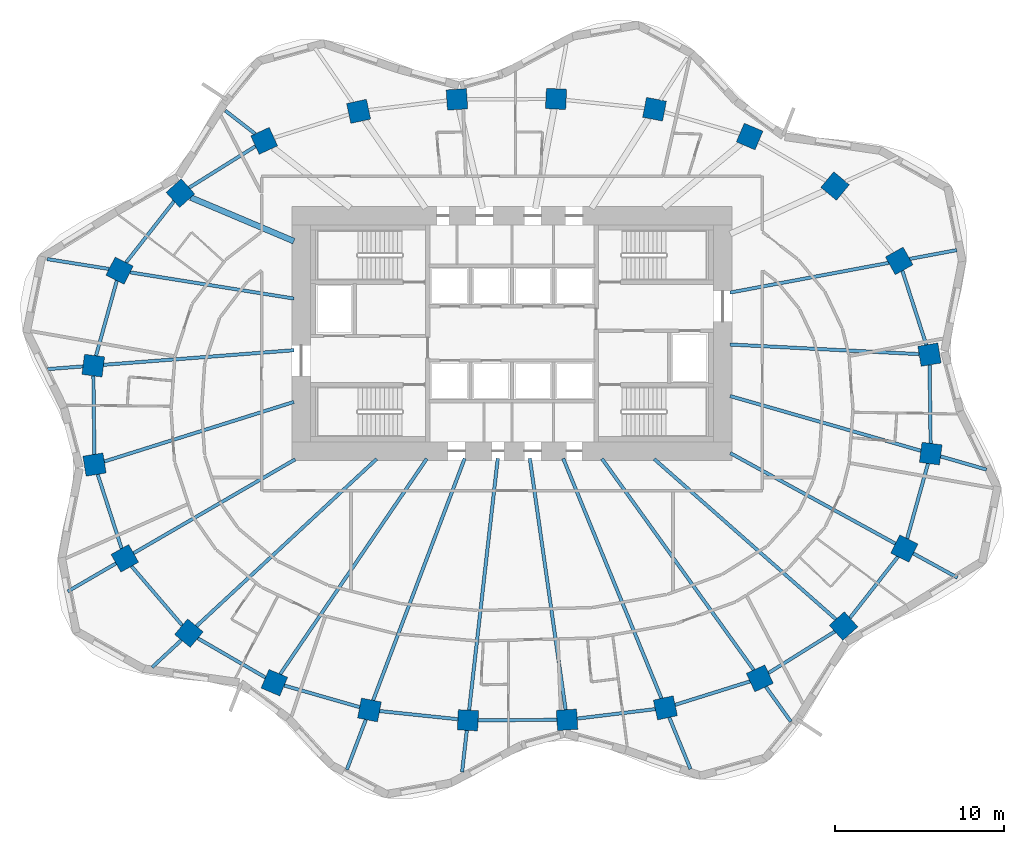
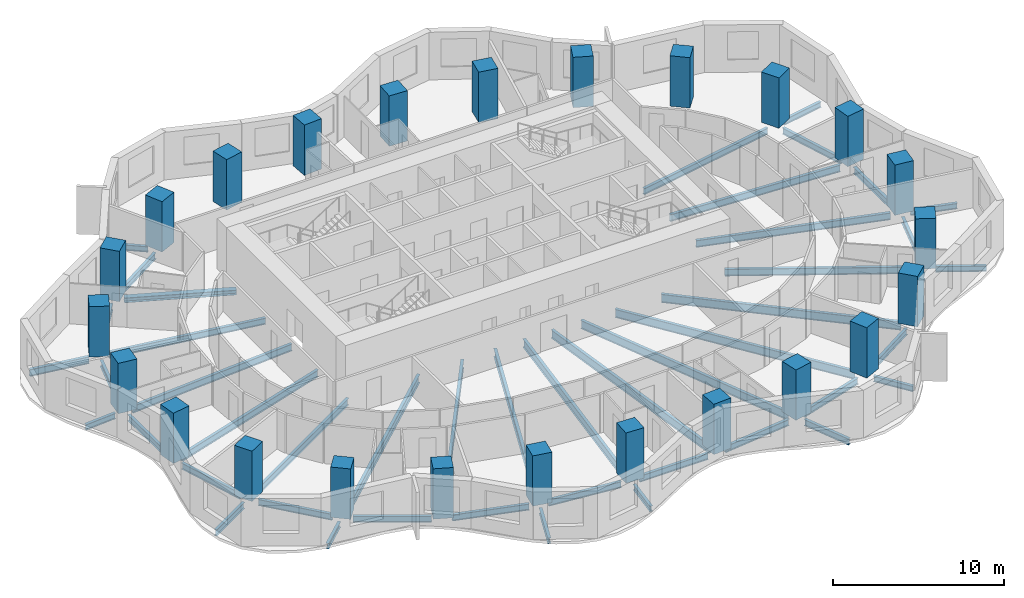
# One storey, part 1 of 10: 46 beams, 24 columns.
"""IFC4 building model written with IfcOpenShell, lengths in metres."""

from ifc_helpers import new_model, si_unit, direction, frame, origin, origin_2d, place, context, subcontext, project, spatial, rectangle, i_section, extrude, material, material_profile, profile_set, type_object, element, save


model = new_model("IFC4")

# Units and contexts
model_context = context("Model", 3, precision=1e-05, world=origin(), true_north=direction((0.0, 1.0)))
body_context = subcontext(model_context, "Body", "Model", "MODEL_VIEW")
ifc_project = project(units=[si_unit("LENGTHUNIT", "METRE"), si_unit("AREAUNIT", "SQUARE_METRE"), si_unit("VOLUMEUNIT", "CUBIC_METRE"), si_unit("PLANEANGLEUNIT", "RADIAN"), si_unit("MASSUNIT", "GRAM", prefix="KILO")], contexts=[model_context])

# Site, building, storey
site_placement = place(None, origin())
site = spatial("IfcSite", under=ifc_project, at=site_placement, CompositionType="ELEMENT")
building_placement = place(site_placement, origin())
building = spatial("IfcBuilding", under=site, at=building_placement, Name="Rubra Terraces Tower", CompositionType="ELEMENT")
storey_placement = place(building_placement, frame((0.0, 0.0, 92.39990234375)))
storey = spatial("IfcBuildingStorey", under=building, at=storey_placement, Name="L21", CompositionType="ELEMENT", Elevation=92.39990234375)

# Columns
ifc_material_1 = material(Name="Concrete C60", Category="concrete")
ifc_material_profile_1 = material_profile(ifc_material_1, rectangle(XDim=1.199951171875, YDim=1.199951171875, at=origin_2d()), Name="RC 1200x1200")
ifc_profile_set_1 = profile_set([ifc_material_profile_1], Name="Concrete C60")
column_type = type_object("IfcColumnType", Name="RING COLUMN RC 1200x1200 C60", PredefinedType="COLUMN", material=ifc_profile_set_1)
for number, where, z_axis, x_axis, name in (
    (1, (24.6689453125, 3.248046875, 0.0), (0.0, 0.0, 1.0), (-0.161559167715, 0.986863027642, 0.0), "column-L21-ring-01"),
    (2, (22.87890625, 8.787109375, 0.0), (0.0, 0.0, 1.0), (-0.48852601316, 0.872549330678, 0.0), "column-L21-ring-02"),
    (3, (19.092041015625, 13.208984375, 0.0), (0.0, 0.0, 1.0), (-0.76886986222, 0.63940529789, 0.0), "column-L21-ring-03"),
    (4, (14.0419921875, 16.135986328125, 0.0), (0.0, 0.0, 1.0), (-0.920167856842, 0.391524092789, 0.0), "column-L21-ring-04"),
    (5, (8.422119140625, 17.7490234375, 0.0), (0.0, 0.0, 1.0), (-0.981654668733, 0.19066754143, 0.0), "column-L21-ring-05"),
    (6, (2.60205078125, 18.35791015625, 0.0), (0.0, 0.0, 1.0), (-0.998764256028, 0.049698700995, 0.0), "column-L21-ring-06"),
    (7, (-3.25390625, 18.330078125, 0.0), (0.0, 0.0, 1.0), (-0.998031548759, -0.062713855578, 0.0), "column-L21-ring-07"),
    (8, (-9.06298828125, 17.625, 0.0), (0.0, 0.0, 1.0), (-0.977652674797, -0.210226657352, 0.0), "column-L21-ring-08"),
    (9, (-14.64306640625, 15.881103515625, 0.0), (0.0, 0.0, 1.0), (-0.908778580451, -0.417278673927, 0.0), "column-L21-ring-09"),
    (10, (-19.593017578125, 12.7900390625, 0.0), (0.0, 0.0, 1.0), (-0.744021317198, -0.668155879683, 0.0), "column-L21-ring-10"),
    (11, (-23.18505859375, 8.2099609375, 0.0), (0.0, 0.0, 1.0), (-0.451027931402, -0.892509834733, 0.0), "column-L21-ring-11"),
    (12, (-24.742919921875, 2.59912109375, 0.0), (0.0, 0.0, 1.0), (-0.128443684554, -0.991716804283, 0.0), "column-L21-ring-12"),
    (13, (-24.6689453125, -3.248046875, 0.0), (0.0, 0.0, 1.0), (0.161559167715, -0.986863027642, 0.0), "column-L21-ring-13"),
    (14, (-22.87890625, -8.787109375, 0.0), (0.0, 0.0, 1.0), (0.48852601316, -0.872549330678, 0.0), "column-L21-ring-14"),
    (15, (-19.092041015625, -13.208984375, 0.0), (0.0, 0.0, 1.0), (0.76886986222, -0.63940529789, 0.0), "column-L21-ring-15"),
    (16, (-14.0419921875, -16.135986328125, 0.0), (0.0, 0.0, 1.0), (0.920167856842, -0.391524092789, 0.0), "column-L21-ring-16"),
    (17, (-8.422119140625, -17.7490234375, 0.0), (0.0, 0.0, 1.0), (0.981654668733, -0.19066754143, 0.0), "column-L21-ring-17"),
    (18, (-2.60205078125, -18.35791015625, 0.0), (0.0, 0.0, 1.0), (0.998764256028, -0.049698700995, 0.0), "column-L21-ring-18"),
    (19, (3.25390625, -18.330078125, 0.0), (0.0, 0.0, 1.0), (0.998031548759, 0.062713855578, 0.0), "column-L21-ring-19"),
    (20, (9.06298828125, -17.625, 0.0), (0.0, 0.0, 1.0), (0.977652674797, 0.210226657352, 0.0), "column-L21-ring-20"),
    (21, (14.64306640625, -15.881103515625, 0.0), (0.0, 0.0, 1.0), (0.908778580451, 0.417278673927, 0.0), "column-L21-ring-21"),
    (22, (19.593017578125, -12.7900390625, 0.0), (0.0, 0.0, 1.0), (0.744021317198, 0.668155879683, 0.0), "column-L21-ring-22"),
    (23, (23.18505859375, -8.2099609375, 0.0), (0.0, 0.0, 1.0), (0.451027931402, 0.892509834733, 0.0), "column-L21-ring-23"),
    (24, (24.742919921875, -2.59912109375, 0.0), (0.0, 0.0, 1.0), (0.128443684554, 0.991716804283, 0.0), "column-L21-ring-24"),
):
    element("IfcColumn", number, at=place(storey_placement, frame(where, z_axis=z_axis, x_axis=x_axis)), inside=storey, type_object=column_type, Name=name, PredefinedType="COLUMN", context=body_context, shape_type="SweptSolid", body=[
        extrude(rectangle(XDim=1.199951171875, YDim=1.199951171875, at=origin_2d()), origin(), (0.0, 0.0, 1.0), 3.60009765625),
    ])

# Beams
ifc_material_2 = material(Name="Steel Q355B", Category="steel")
ifc_material_profile_2 = material_profile(ifc_material_2, i_section(OverallWidth=0.199951171875, OverallDepth=0.39990234375, WebThickness=0.008056640625, FlangeThickness=0.012939453125, at=origin_2d()), Name="HN 400x200x8x13")
ifc_profile_set_2 = profile_set([ifc_material_profile_2], Name="Steel Q355B")
beam_type_1 = type_object("IfcBeamType", Name="CANTILEVER BEAM HN 400x200x8x13", PredefinedType="BEAM", material=ifc_profile_set_2)
beam_1_placement = place(storey_placement, frame((23.5009765625, 8.904052734375, -0.39990234375), z_axis=(0.982900503659, 0.184137448407, 0.0), x_axis=(-0.184137448407, 0.982900503659, 0.0)))
element("IfcBeam", 25, at=beam_1_placement, inside=storey, type_object=beam_type_1, Name="beam-L21-cant-02", PredefinedType="BEAM", context=body_context, shape_type="SweptSolid", body=[
    extrude(i_section(OverallWidth=0.199951171875, OverallDepth=0.39990234375, WebThickness=0.008056640625, FlangeThickness=0.012939453125, at=origin_2d()), origin(), (0.0, 0.0, 1.0), 2.829345703125),
])
beam_2_placement = place(storey_placement, frame((-15.177001953125, 16.2958984375, -0.39990234375), z_axis=(-0.789558697971, 0.613675046306, 0.0), x_axis=(-0.613675046306, -0.789558697971, 0.0)))
element("IfcBeam", 26, at=beam_2_placement, inside=storey, type_object=beam_type_1, Name="beam-L21-cant-09", PredefinedType="BEAM", context=body_context, shape_type="SweptSolid", body=[
    extrude(i_section(OverallWidth=0.199951171875, OverallDepth=0.39990234375, WebThickness=0.008056640625, FlangeThickness=0.012939453125, at=origin_2d()), origin(), (0.0, 0.0, 1.0), 2.227783203125),
])
beam_3_placement = place(storey_placement, frame((-25.35400390625, 2.552001953125, -0.39990234375), z_axis=(-0.997081005005, -0.076350962387, 0.0), x_axis=(0.076350962387, -0.997081005005, 0.0)))
element("IfcBeam", 27, at=beam_3_placement, inside=storey, type_object=beam_type_1, Name="beam-L21-cant-12", PredefinedType="BEAM", context=body_context, shape_type="SweptSolid", body=[
    extrude(i_section(OverallWidth=0.199951171875, OverallDepth=0.39990234375, WebThickness=0.008056640625, FlangeThickness=0.012939453125, at=origin_2d()), origin(), (0.0, 0.0, 1.0), 2.107177734375),
])
beam_4_placement = place(storey_placement, frame((-19.535888671875, -13.6201171875, -0.39990234375), z_axis=(-0.733024491169, -0.680202245914, 0.0), x_axis=(0.680202245914, -0.733024491169, 0.0)))
element("IfcBeam", 28, at=beam_4_placement, inside=storey, type_object=beam_type_1, Name="beam-L21-cant-15", PredefinedType="BEAM", context=body_context, shape_type="SweptSolid", body=[
    extrude(i_section(OverallWidth=0.199951171875, OverallDepth=0.39990234375, WebThickness=0.008056640625, FlangeThickness=0.012939453125, at=origin_2d()), origin(), (0.0, 0.0, 1.0), 2.37109375),
])
beam_5_placement = place(storey_placement, frame((-8.637939453125, -18.318115234375, -0.39990234375), z_axis=(-0.353924982786, -0.935273813682, 0.0), x_axis=(0.935273813682, -0.353924982786, 0.0)))
element("IfcBeam", 29, at=beam_5_placement, inside=storey, type_object=beam_type_1, Name="beam-L21-cant-17", PredefinedType="BEAM", context=body_context, shape_type="SweptSolid", body=[
    extrude(i_section(OverallWidth=0.199951171875, OverallDepth=0.39990234375, WebThickness=0.008056640625, FlangeThickness=0.012939453125, at=origin_2d()), origin(), (0.0, 0.0, 1.0), 3.159423828125),
])
beam_6_placement = place(storey_placement, frame((-2.669921875, -18.955078125, -0.39990234375), z_axis=(-0.112971566193, -0.99359822123, 0.0), x_axis=(0.99359822123, -0.112971566193, 0.0)))
element("IfcBeam", 30, at=beam_6_placement, inside=storey, type_object=beam_type_1, Name="beam-L21-cant-18", PredefinedType="BEAM", context=body_context, shape_type="SweptSolid", body=[
    extrude(i_section(OverallWidth=0.199951171875, OverallDepth=0.39990234375, WebThickness=0.008056640625, FlangeThickness=0.012939453125, at=origin_2d()), origin(), (0.0, 0.0, 1.0), 2.478759765625),
])
beam_7_placement = place(storey_placement, frame((15.0, -16.376953125, -0.39990234375), z_axis=(0.583425401371, -0.812166732288, 0.0), x_axis=(0.812166732288, 0.583425401371, 0.0)))
element("IfcBeam", 31, at=beam_7_placement, inside=storey, type_object=beam_type_1, Name="beam-L21-cant-21", PredefinedType="BEAM", context=body_context, shape_type="SweptSolid", body=[
    extrude(i_section(OverallWidth=0.199951171875, OverallDepth=0.39990234375, WebThickness=0.008056640625, FlangeThickness=0.012939453125, at=origin_2d()), origin(), (0.0, 0.0, 1.0), 2.53173828125),
])
beam_8_placement = place(storey_placement, frame((23.7109375, -8.4990234375, -0.39990234375), z_axis=(0.876950651009, -0.480580436238, 0.0), x_axis=(0.480580436238, 0.876950651009, 0.0)))
element("IfcBeam", 32, at=beam_8_placement, inside=storey, type_object=beam_type_1, Name="beam-L21-cant-23", PredefinedType="BEAM", context=body_context, shape_type="SweptSolid", body=[
    extrude(i_section(OverallWidth=0.199951171875, OverallDepth=0.39990234375, WebThickness=0.008056640625, FlangeThickness=0.012939453125, at=origin_2d()), origin(), (0.0, 0.0, 1.0), 2.9775390625),
])
beam_9_placement = place(storey_placement, frame((25.325927734375, -2.76611328125, -0.39990234375), z_axis=(0.961210097917, -0.275817235977, 0.0), x_axis=(0.275817235977, 0.961210097917, 0.0)))
element("IfcBeam", 33, at=beam_9_placement, inside=storey, type_object=beam_type_1, Name="beam-L21-cant-24", PredefinedType="BEAM", context=body_context, shape_type="SweptSolid", body=[
    extrude(i_section(OverallWidth=0.199951171875, OverallDepth=0.39990234375, WebThickness=0.008056640625, FlangeThickness=0.012939453125, at=origin_2d()), origin(), (0.0, 0.0, 1.0), 2.82373046875),
])
ifc_material_profile_3 = material_profile(ifc_material_2, i_section(OverallWidth=0.198974609375, OverallDepth=0.446044921875, WebThickness=0.008056640625, FlangeThickness=0.011962890625, at=origin_2d()), Name="HN 446x199x8x12")
ifc_profile_set_3 = profile_set([ifc_material_profile_3], Name="Steel Q355B")
beam_type_2 = type_object("IfcBeamType", Name="CANTILEVER BEAM HN 446x199x8x12", PredefinedType="BEAM", material=ifc_profile_set_3)
beam_10_placement = place(storey_placement, frame((-23.39794921875, -9.087890625, -0.4228515625), z_axis=(-0.86464262301, -0.50238743463, 0.0), x_axis=(0.50238743463, -0.86464262301, 0.0)))
element("IfcBeam", 34, at=beam_10_placement, inside=storey, type_object=beam_type_2, Name="beam-L21-cant-14", PredefinedType="BEAM", context=body_context, shape_type="SweptSolid", body=[
    extrude(i_section(OverallWidth=0.198974609375, OverallDepth=0.446044921875, WebThickness=0.008056640625, FlangeThickness=0.011962890625, at=origin_2d()), origin(), (0.0, 0.0, 1.0), 3.29638671875),
])
beam_11_placement = place(storey_placement, frame((9.2939453125, -18.18896484375, -0.4228515625), z_axis=(0.379126606242, -0.925344809484, 0.0), x_axis=(0.925344809484, 0.379126606242, 0.0)))
element("IfcBeam", 35, at=beam_11_placement, inside=storey, type_object=beam_type_2, Name="beam-L21-cant-20", PredefinedType="BEAM", context=body_context, shape_type="SweptSolid", body=[
    extrude(i_section(OverallWidth=0.198974609375, OverallDepth=0.446044921875, WebThickness=0.008056640625, FlangeThickness=0.011962890625, at=origin_2d()), origin(), (0.0, 0.0, 1.0), 3.2919921875),
])
ifc_material_profile_4 = material_profile(ifc_material_2, i_section(OverallWidth=0.198974609375, OverallDepth=0.49609375, WebThickness=0.009033203125, FlangeThickness=0.013916015625, at=origin_2d()), Name="HN 496x199x9x14")
ifc_profile_set_4 = profile_set([ifc_material_profile_4], Name="Steel Q355B")
beam_type_3 = type_object("IfcBeamType", Name="CANTILEVER BEAM HN 496x199x9x14", PredefinedType="BEAM", material=ifc_profile_set_4)
beam_12_placement = place(storey_placement, frame((-23.806884765625, 8.31005859375, -0.447998046875), z_axis=(-0.987475125266, 0.157774766614, 0.0), x_axis=(-0.157774766614, -0.987475125266, 0.0)))
element("IfcBeam", 36, at=beam_12_placement, inside=storey, type_object=beam_type_3, Name="beam-L21-cant-11", PredefinedType="BEAM", context=body_context, shape_type="SweptSolid", body=[
    extrude(i_section(OverallWidth=0.198974609375, OverallDepth=0.49609375, WebThickness=0.009033203125, FlangeThickness=0.013916015625, at=origin_2d()), origin(), (0.0, 0.0, 1.0), 3.70751953125),
])
ifc_material_profile_5 = material_profile(ifc_material_2, i_section(OverallWidth=0.198974609375, OverallDepth=0.446044921875, WebThickness=0.008056640625, FlangeThickness=0.011962890625, at=origin_2d()), Name="HN 446x199x8x12")
ifc_profile_set_5 = profile_set([ifc_material_profile_5], Name="Steel Q355B")
beam_type_4 = type_object("IfcBeamType", Name="FLOOR BEAM HN 446x199x8x12", PredefinedType="BEAM", material=ifc_profile_set_5)
beam_13_placement = place(storey_placement, frame((22.257080078125, 8.669921875, -0.4228515625), z_axis=(-0.982909257943, -0.184090713102, 0.0), x_axis=(0.184090713102, -0.982909257943, 0.0)))
element("IfcBeam", 37, at=beam_13_placement, inside=storey, type_object=beam_type_4, Name="beam-L21-floor-02", PredefinedType="BEAM", context=body_context, shape_type="SweptSolid", body=[
    extrude(i_section(OverallWidth=0.198974609375, OverallDepth=0.446044921875, WebThickness=0.008056640625, FlangeThickness=0.011962890625, at=origin_2d()), origin(), (0.0, 0.0, 1.0), 9.5380859375),
])
beam_14_placement = place(storey_placement, frame((-22.56298828125, 8.110107421875, -0.4228515625), z_axis=(0.987438611706, -0.158003126908, 0.0), x_axis=(0.158003126908, 0.987438611706, 0.0)))
element("IfcBeam", 38, at=beam_14_placement, inside=storey, type_object=beam_type_4, Name="beam-L21-floor-11", PredefinedType="BEAM", context=body_context, shape_type="SweptSolid", body=[
    extrude(i_section(OverallWidth=0.198974609375, OverallDepth=0.446044921875, WebThickness=0.008056640625, FlangeThickness=0.011962890625, at=origin_2d()), origin(), (0.0, 0.0, 1.0), 9.803955078125),
])
ifc_material_profile_6 = material_profile(ifc_material_2, i_section(OverallWidth=0.198974609375, OverallDepth=0.49609375, WebThickness=0.009033203125, FlangeThickness=0.013916015625, at=origin_2d()), Name="HN 496x199x9x14")
ifc_profile_set_6 = profile_set([ifc_material_profile_6], Name="Steel Q355B")
beam_type_5 = type_object("IfcBeamType", Name="FLOOR BEAM HN 496x199x9x14", PredefinedType="BEAM", material=ifc_profile_set_6)
beam_15_placement = place(storey_placement, frame((24.055908203125, 3.279052734375, -0.447998046875), z_axis=(-0.998716006853, 0.050659033312, 0.0), x_axis=(-0.050659033312, -0.998716006853, 0.0)))
element("IfcBeam", 39, at=beam_15_placement, inside=storey, type_object=beam_type_5, Name="beam-L21-floor-01", PredefinedType="BEAM", context=body_context, shape_type="SweptSolid", body=[
    extrude(i_section(OverallWidth=0.198974609375, OverallDepth=0.49609375, WebThickness=0.009033203125, FlangeThickness=0.013916015625, at=origin_2d()), origin(), (0.0, 0.0, 1.0), 11.1904296875),
])
beam_16_placement = place(storey_placement, frame((-24.132080078125, 2.64599609375, -0.447998046875), z_axis=(0.99706491124, 0.076560843604, 0.0), x_axis=(-0.076560843604, 0.99706491124, 0.0)))
element("IfcBeam", 40, at=beam_16_placement, inside=storey, type_object=beam_type_5, Name="beam-L21-floor-12", PredefinedType="BEAM", context=body_context, shape_type="SweptSolid", body=[
    extrude(i_section(OverallWidth=0.198974609375, OverallDepth=0.49609375, WebThickness=0.009033203125, FlangeThickness=0.013916015625, at=origin_2d()), origin(), (0.0, 0.0, 1.0), 11.285400390625),
])
beam_17_placement = place(storey_placement, frame((-24.091064453125, -3.06591796875, -0.447998046875), z_axis=(0.954061815263, 0.299609834046, 0.0), x_axis=(-0.299609834046, 0.954061815263, 0.0)))
element("IfcBeam", 41, at=beam_17_placement, inside=storey, type_object=beam_type_5, Name="beam-L21-floor-13", PredefinedType="BEAM", context=body_context, shape_type="SweptSolid", body=[
    extrude(i_section(OverallWidth=0.198974609375, OverallDepth=0.49609375, WebThickness=0.009033203125, FlangeThickness=0.013916015625, at=origin_2d()), origin(), (0.0, 0.0, 1.0), 11.74462890625),
])
beam_18_placement = place(storey_placement, frame((-22.360107421875, -8.486083984375, -0.447998046875), z_axis=(0.864729170152, 0.502238451623, 0.0), x_axis=(-0.502238451623, 0.864729170152, 0.0)))
element("IfcBeam", 42, at=beam_18_placement, inside=storey, type_object=beam_type_5, Name="beam-L21-floor-14", PredefinedType="BEAM", context=body_context, shape_type="SweptSolid", body=[
    extrude(i_section(OverallWidth=0.198974609375, OverallDepth=0.49609375, WebThickness=0.009033203125, FlangeThickness=0.013916015625, at=origin_2d()), origin(), (0.0, 0.0, 1.0), 11.04296875),
])
beam_19_placement = place(storey_placement, frame((22.658935546875, -7.9208984375, -0.447998046875), z_axis=(-0.876910796921, 0.480653153785, 0.0), x_axis=(-0.480653153785, -0.876910796921, 0.0)))
element("IfcBeam", 43, at=beam_19_placement, inside=storey, type_object=beam_type_5, Name="beam-L21-floor-23", PredefinedType="BEAM", context=body_context, shape_type="SweptSolid", body=[
    extrude(i_section(OverallWidth=0.198974609375, OverallDepth=0.49609375, WebThickness=0.009033203125, FlangeThickness=0.013916015625, at=origin_2d()), origin(), (0.0, 0.0, 1.0), 11.134521484375),
])
beam_20_placement = place(storey_placement, frame((24.159912109375, -2.431884765625, -0.447998046875), z_axis=(-0.9612201884, 0.275782068691, 0.0), x_axis=(-0.275782068691, -0.9612201884, 0.0)))
element("IfcBeam", 44, at=beam_20_placement, inside=storey, type_object=beam_type_5, Name="beam-L21-floor-24", PredefinedType="BEAM", context=body_context, shape_type="SweptSolid", body=[
    extrude(i_section(OverallWidth=0.198974609375, OverallDepth=0.49609375, WebThickness=0.009033203125, FlangeThickness=0.013916015625, at=origin_2d()), origin(), (0.0, 0.0, 1.0), 11.729736328125),
])
ifc_material_profile_7 = material_profile(ifc_material_2, i_section(OverallWidth=0.198974609375, OverallDepth=0.595947265625, WebThickness=0.010009765625, FlangeThickness=0.014892578125, at=origin_2d()), Name="HN 596x199x10x15")
ifc_profile_set_7 = profile_set([ifc_material_profile_7], Name="Steel Q355B")
beam_type_6 = type_object("IfcBeamType", Name="FLOOR BEAM HN 596x199x10x15", PredefinedType="BEAM", material=ifc_profile_set_7)
beam_21_placement = place(storey_placement, frame((-18.64794921875, -12.798095703125, -0.497802734375), z_axis=(0.733104668463, 0.680115832104, 0.0), x_axis=(-0.680115832104, 0.733104668463, 0.0)))
element("IfcBeam", 45, at=beam_21_placement, inside=storey, type_object=beam_type_6, Name="beam-L21-floor-15", PredefinedType="BEAM", context=body_context, shape_type="SweptSolid", body=[
    extrude(i_section(OverallWidth=0.198974609375, OverallDepth=0.595947265625, WebThickness=0.010009765625, FlangeThickness=0.014892578125, at=origin_2d()), origin(), (0.0, 0.0, 1.0), 14.527099609375),
])
beam_22_placement = place(storey_placement, frame((-13.697998046875, -15.6298828125, -0.497802734375), z_axis=(0.562593638313, 0.82673357143, 0.0), x_axis=(-0.82673357143, 0.562593638313, 0.0)))
element("IfcBeam", 46, at=beam_22_placement, inside=storey, type_object=beam_type_6, Name="beam-L21-floor-16", PredefinedType="BEAM", context=body_context, shape_type="SweptSolid", body=[
    extrude(i_section(OverallWidth=0.198974609375, OverallDepth=0.595947265625, WebThickness=0.010009765625, FlangeThickness=0.014892578125, at=origin_2d()), origin(), (0.0, 0.0, 1.0), 15.396728515625),
])
beam_23_placement = place(storey_placement, frame((-8.2060546875, -17.179931640625, -0.497802734375), z_axis=(0.35395819717, 0.935261244068, 0.0), x_axis=(-0.935261244068, 0.35395819717, 0.0)))
element("IfcBeam", 47, at=beam_23_placement, inside=storey, type_object=beam_type_6, Name="beam-L21-floor-17", PredefinedType="BEAM", context=body_context, shape_type="SweptSolid", body=[
    extrude(i_section(OverallWidth=0.198974609375, OverallDepth=0.595947265625, WebThickness=0.010009765625, FlangeThickness=0.014892578125, at=origin_2d()), origin(), (0.0, 0.0, 1.0), 15.28125),
])
beam_24_placement = place(storey_placement, frame((-2.533935546875, -17.760986328125, -0.497802734375), z_axis=(0.113104280783, 0.993583122677, 0.0), x_axis=(-0.993583122677, 0.113104280783, 0.0)))
element("IfcBeam", 48, at=beam_24_placement, inside=storey, type_object=beam_type_6, Name="beam-L21-floor-18", PredefinedType="BEAM", context=body_context, shape_type="SweptSolid", body=[
    extrude(i_section(OverallWidth=0.198974609375, OverallDepth=0.595947265625, WebThickness=0.010009765625, FlangeThickness=0.014892578125, at=origin_2d()), origin(), (0.0, 0.0, 1.0), 14.97607421875),
])
beam_25_placement = place(storey_placement, frame((3.1689453125, -17.73388671875, -0.497802734375), z_axis=(-0.141102399867, 0.989995006428, 0.0), x_axis=(-0.989995006428, -0.141102399867, 0.0)))
element("IfcBeam", 49, at=beam_25_placement, inside=storey, type_object=beam_type_6, Name="beam-L21-floor-19", PredefinedType="BEAM", context=body_context, shape_type="SweptSolid", body=[
    extrude(i_section(OverallWidth=0.198974609375, OverallDepth=0.595947265625, WebThickness=0.010009765625, FlangeThickness=0.014892578125, at=origin_2d()), origin(), (0.0, 0.0, 1.0), 15.0029296875),
])
beam_26_placement = place(storey_placement, frame((8.83203125, -17.06103515625, -0.497802734375), z_axis=(-0.379038143634, 0.925381048904, 0.0), x_axis=(-0.925381048904, -0.379038143634, 0.0)))
element("IfcBeam", 50, at=beam_26_placement, inside=storey, type_object=beam_type_6, Name="beam-L21-floor-20", PredefinedType="BEAM", context=body_context, shape_type="SweptSolid", body=[
    extrude(i_section(OverallWidth=0.198974609375, OverallDepth=0.595947265625, WebThickness=0.010009765625, FlangeThickness=0.014892578125, at=origin_2d()), origin(), (0.0, 0.0, 1.0), 15.31494140625),
])
beam_27_placement = place(storey_placement, frame((14.285888671875, -15.385009765625, -0.497802734375), z_axis=(-0.583480892091, 0.812126867284, 0.0), x_axis=(-0.812126867284, -0.583480892091, 0.0)))
element("IfcBeam", 51, at=beam_27_placement, inside=storey, type_object=beam_type_6, Name="beam-L21-floor-21", PredefinedType="BEAM", context=body_context, shape_type="SweptSolid", body=[
    extrude(i_section(OverallWidth=0.198974609375, OverallDepth=0.595947265625, WebThickness=0.010009765625, FlangeThickness=0.014892578125, at=origin_2d()), origin(), (0.0, 0.0, 1.0), 15.369384765625),
])
beam_28_placement = place(storey_placement, frame((19.139892578125, -12.389892578125, -0.497802734375), z_axis=(-0.749820430817, 0.661641384384, 0.0), x_axis=(-0.661641384384, -0.749820430817, 0.0)))
element("IfcBeam", 52, at=beam_28_placement, inside=storey, type_object=beam_type_6, Name="beam-L21-floor-22", PredefinedType="BEAM", context=body_context, shape_type="SweptSolid", body=[
    extrude(i_section(OverallWidth=0.198974609375, OverallDepth=0.595947265625, WebThickness=0.010009765625, FlangeThickness=0.014892578125, at=origin_2d()), origin(), (0.0, 0.0, 1.0), 14.311279296875),
])
ifc_material_profile_8 = material_profile(ifc_material_2, i_section(OverallWidth=0.35009765625, OverallDepth=0.35009765625, WebThickness=0.011962890625, FlangeThickness=0.01904296875, at=origin_2d()), Name="HW 350x350x12x19")
ifc_profile_set_8 = profile_set([ifc_material_profile_8], Name="Steel Q355B")
beam_type_7 = type_object("IfcBeamType", Name="FLOOR BEAM HW 350x350x12x19", PredefinedType="BEAM", material=ifc_profile_set_8)
beam_29_placement = place(storey_placement, frame((-18.98291015625, 12.531982421875, -0.375), z_axis=(0.920986092, -0.389595454726, 0.0), x_axis=(0.389595454726, 0.920986092, 0.0)))
element("IfcBeam", 53, at=beam_29_placement, inside=storey, type_object=beam_type_7, Name="beam-L21-floor-10", PredefinedType="BEAM", context=body_context, shape_type="SweptSolid", body=[
    extrude(i_section(OverallWidth=0.35009765625, OverallDepth=0.35009765625, WebThickness=0.011962890625, FlangeThickness=0.01904296875, at=origin_2d()), origin(), (0.0, 0.0, 1.0), 6.61669921875),
])
ifc_material_profile_9 = material_profile(ifc_material_2, i_section(OverallWidth=0.198974609375, OverallDepth=0.446044921875, WebThickness=0.008056640625, FlangeThickness=0.011962890625, at=origin_2d()), Name="HN 446x199x8x12")
ifc_profile_set_9 = profile_set([ifc_material_profile_9], Name="Steel Q355B")
beam_type_8 = type_object("IfcBeamType", Name="SPANDREL BEAM HN 446x199x8x12", PredefinedType="SPANDREL", material=ifc_profile_set_9)
beam_30_placement = place(storey_placement, frame((24.48193359375, 3.824951171875, -0.4228515625), z_axis=(-0.307414966872, 0.951575555667, 0.0), x_axis=(-0.951575555667, -0.307414966872, 0.0)))
element("IfcBeam", 54, at=beam_30_placement, inside=storey, type_object=beam_type_8, Name="beam-L21-spandrel-01", PredefinedType="SPANDREL", context=body_context, shape_type="SweptSolid", body=[
    extrude(i_section(OverallWidth=0.198974609375, OverallDepth=0.446044921875, WebThickness=0.008056640625, FlangeThickness=0.011962890625, at=origin_2d()), origin(), (0.0, 0.0, 1.0), 4.60302734375),
])
beam_31_placement = place(storey_placement, frame((-15.156005859375, 15.56103515625, -0.4228515625), z_axis=(-0.848188188849, -0.529695003089, 0.0), x_axis=(0.529695003089, -0.848188188849, 0.0)))
element("IfcBeam", 55, at=beam_31_placement, inside=storey, type_object=beam_type_8, Name="beam-L21-spandrel-09", PredefinedType="SPANDREL", context=body_context, shape_type="SweptSolid", body=[
    extrude(i_section(OverallWidth=0.198974609375, OverallDepth=0.446044921875, WebThickness=0.008056640625, FlangeThickness=0.011962890625, at=origin_2d()), origin(), (0.0, 0.0, 1.0), 4.62158203125),
])
beam_32_placement = place(storey_placement, frame((-19.968994140625, 12.31103515625, -0.4228515625), z_axis=(-0.61694919408, -0.787002980886, 0.0), x_axis=(0.787002980886, -0.61694919408, 0.0)))
element("IfcBeam", 56, at=beam_32_placement, inside=storey, type_object=beam_type_8, Name="beam-L21-spandrel-10", PredefinedType="SPANDREL", context=body_context, shape_type="SweptSolid", body=[
    extrude(i_section(OverallWidth=0.198974609375, OverallDepth=0.446044921875, WebThickness=0.008056640625, FlangeThickness=0.011962890625, at=origin_2d()), origin(), (0.0, 0.0, 1.0), 4.599853515625),
])
beam_33_placement = place(storey_placement, frame((-23.34912109375, 7.6201171875, -0.4228515625), z_axis=(-0.26752901479, -0.963549804756, 0.0), x_axis=(0.963549804756, -0.26752901479, 0.0)))
element("IfcBeam", 57, at=beam_33_placement, inside=storey, type_object=beam_type_8, Name="beam-L21-spandrel-11", PredefinedType="SPANDREL", context=body_context, shape_type="SweptSolid", body=[
    extrude(i_section(OverallWidth=0.198974609375, OverallDepth=0.446044921875, WebThickness=0.008056640625, FlangeThickness=0.011962890625, at=origin_2d()), origin(), (0.0, 0.0, 1.0), 4.60498046875),
])
beam_34_placement = place(storey_placement, frame((-24.735107421875, 1.992919921875, -0.4228515625), z_axis=(0.012537869063, -0.999921397831, 0.0), x_axis=(0.999921397831, 0.012537869063, 0.0)))
element("IfcBeam", 58, at=beam_34_placement, inside=storey, type_object=beam_type_8, Name="beam-L21-spandrel-12", PredefinedType="SPANDREL", context=body_context, shape_type="SweptSolid", body=[
    extrude(i_section(OverallWidth=0.198974609375, OverallDepth=0.446044921875, WebThickness=0.008056640625, FlangeThickness=0.011962890625, at=origin_2d()), origin(), (0.0, 0.0, 1.0), 4.63427734375),
])
beam_35_placement = place(storey_placement, frame((-24.48193359375, -3.824951171875, -0.4228515625), z_axis=(0.307414966872, -0.951575555667, 0.0), x_axis=(0.951575555667, 0.307414966872, 0.0)))
element("IfcBeam", 59, at=beam_35_placement, inside=storey, type_object=beam_type_8, Name="beam-L21-spandrel-13", PredefinedType="SPANDREL", context=body_context, shape_type="SweptSolid", body=[
    extrude(i_section(OverallWidth=0.198974609375, OverallDepth=0.446044921875, WebThickness=0.008056640625, FlangeThickness=0.011962890625, at=origin_2d()), origin(), (0.0, 0.0, 1.0), 4.60302734375),
])
beam_36_placement = place(storey_placement, frame((-22.48095703125, -9.251953125, -0.4228515625), z_axis=(0.650428637413, -0.759567368726, 0.0), x_axis=(0.759567368726, 0.650428637413, 0.0)))
element("IfcBeam", 60, at=beam_36_placement, inside=storey, type_object=beam_type_8, Name="beam-L21-spandrel-14", PredefinedType="SPANDREL", context=body_context, shape_type="SweptSolid", body=[
    extrude(i_section(OverallWidth=0.198974609375, OverallDepth=0.446044921875, WebThickness=0.008056640625, FlangeThickness=0.011962890625, at=origin_2d()), origin(), (0.0, 0.0, 1.0), 4.6015625),
])
beam_37_placement = place(storey_placement, frame((-18.56494140625, -13.513916015625, -0.4228515625), z_axis=(0.865116425734, -0.501571101565, 0.0), x_axis=(0.501571101565, 0.865116425734, 0.0)))
element("IfcBeam", 61, at=beam_37_placement, inside=storey, type_object=beam_type_8, Name="beam-L21-spandrel-15", PredefinedType="SPANDREL", context=body_context, shape_type="SweptSolid", body=[
    extrude(i_section(OverallWidth=0.198974609375, OverallDepth=0.446044921875, WebThickness=0.008056640625, FlangeThickness=0.011962890625, at=origin_2d()), origin(), (0.0, 0.0, 1.0), 4.62353515625),
])
beam_38_placement = place(storey_placement, frame((-13.4609375, -16.302978515625, -0.4228515625), z_axis=(0.961195652649, -0.275867572085, 0.0), x_axis=(0.275867572085, 0.961195652649, 0.0)))
element("IfcBeam", 62, at=beam_38_placement, inside=storey, type_object=beam_type_8, Name="beam-L21-spandrel-16", PredefinedType="SPANDREL", context=body_context, shape_type="SweptSolid", body=[
    extrude(i_section(OverallWidth=0.198974609375, OverallDepth=0.446044921875, WebThickness=0.008056640625, FlangeThickness=0.011962890625, at=origin_2d()), origin(), (0.0, 0.0, 1.0), 4.639892578125),
])
beam_39_placement = place(storey_placement, frame((-7.822998046875, -17.81201171875, -0.4228515625), z_axis=(0.994588599148, -0.103891859374, 0.0), x_axis=(0.103891859374, 0.994588599148, 0.0)))
element("IfcBeam", 63, at=beam_39_placement, inside=storey, type_object=beam_type_8, Name="beam-L21-spandrel-17", PredefinedType="SPANDREL", context=body_context, shape_type="SweptSolid", body=[
    extrude(i_section(OverallWidth=0.198974609375, OverallDepth=0.446044921875, WebThickness=0.008056640625, FlangeThickness=0.011962890625, at=origin_2d()), origin(), (0.0, 0.0, 1.0), 4.648193359375),
])
beam_40_placement = place(storey_placement, frame((-2.0009765625, -18.35498046875, -0.4228515625), z_axis=(0.99998885538, 0.004721135025, 0.0), x_axis=(-0.004721135025, 0.99998885538, 0.0)))
element("IfcBeam", 64, at=beam_40_placement, inside=storey, type_object=beam_type_8, Name="beam-L21-spandrel-18", PredefinedType="SPANDREL", context=body_context, shape_type="SweptSolid", body=[
    extrude(i_section(OverallWidth=0.198974609375, OverallDepth=0.446044921875, WebThickness=0.008056640625, FlangeThickness=0.011962890625, at=origin_2d()), origin(), (0.0, 0.0, 1.0), 4.654052734375),
])
beam_41_placement = place(storey_placement, frame((3.85107421875, -18.258056640625, -0.4228515625), z_axis=(0.992713612833, 0.120497646851, 0.0), x_axis=(-0.120497646851, 0.992713612833, 0.0)))
element("IfcBeam", 65, at=beam_41_placement, inside=storey, type_object=beam_type_8, Name="beam-L21-spandrel-19", PredefinedType="SPANDREL", context=body_context, shape_type="SweptSolid", body=[
    extrude(i_section(OverallWidth=0.198974609375, OverallDepth=0.446044921875, WebThickness=0.008056640625, FlangeThickness=0.011962890625, at=origin_2d()), origin(), (0.0, 0.0, 1.0), 4.64794921875),
])
beam_42_placement = place(storey_placement, frame((9.637939453125, -17.445068359375, -0.4228515625), z_axis=(0.954462184919, 0.298331925142, 0.0), x_axis=(-0.298331925142, 0.954462184919, 0.0)))
element("IfcBeam", 66, at=beam_42_placement, inside=storey, type_object=beam_type_8, Name="beam-L21-spandrel-20", PredefinedType="SPANDREL", context=body_context, shape_type="SweptSolid", body=[
    extrude(i_section(OverallWidth=0.198974609375, OverallDepth=0.446044921875, WebThickness=0.008056640625, FlangeThickness=0.011962890625, at=origin_2d()), origin(), (0.0, 0.0, 1.0), 4.63916015625),
])
beam_43_placement = place(storey_placement, frame((15.156005859375, -15.56103515625, -0.4228515625), z_axis=(0.848188188849, 0.529695003089, 0.0), x_axis=(-0.529695003089, 0.848188188849, 0.0)))
element("IfcBeam", 67, at=beam_43_placement, inside=storey, type_object=beam_type_8, Name="beam-L21-spandrel-21", PredefinedType="SPANDREL", context=body_context, shape_type="SweptSolid", body=[
    extrude(i_section(OverallWidth=0.198974609375, OverallDepth=0.446044921875, WebThickness=0.008056640625, FlangeThickness=0.011962890625, at=origin_2d()), origin(), (0.0, 0.0, 1.0), 4.62158203125),
])
beam_44_placement = place(storey_placement, frame((19.968994140625, -12.31103515625, -0.4228515625), z_axis=(0.61694919408, 0.787002980886, 0.0), x_axis=(-0.787002980886, 0.61694919408, 0.0)))
element("IfcBeam", 68, at=beam_44_placement, inside=storey, type_object=beam_type_8, Name="beam-L21-spandrel-22", PredefinedType="SPANDREL", context=body_context, shape_type="SweptSolid", body=[
    extrude(i_section(OverallWidth=0.198974609375, OverallDepth=0.446044921875, WebThickness=0.008056640625, FlangeThickness=0.011962890625, at=origin_2d()), origin(), (0.0, 0.0, 1.0), 4.599853515625),
])
beam_45_placement = place(storey_placement, frame((23.34912109375, -7.6201171875, -0.4228515625), z_axis=(0.26752901479, 0.963549804756, 0.0), x_axis=(-0.963549804756, 0.26752901479, 0.0)))
element("IfcBeam", 69, at=beam_45_placement, inside=storey, type_object=beam_type_8, Name="beam-L21-spandrel-23", PredefinedType="SPANDREL", context=body_context, shape_type="SweptSolid", body=[
    extrude(i_section(OverallWidth=0.198974609375, OverallDepth=0.446044921875, WebThickness=0.008056640625, FlangeThickness=0.011962890625, at=origin_2d()), origin(), (0.0, 0.0, 1.0), 4.60498046875),
])
beam_46_placement = place(storey_placement, frame((24.735107421875, -1.992919921875, -0.4228515625), z_axis=(-0.012537869063, 0.999921397831, 0.0), x_axis=(-0.999921397831, -0.012537869063, 0.0)))
element("IfcBeam", 70, at=beam_46_placement, inside=storey, type_object=beam_type_8, Name="beam-L21-spandrel-24", PredefinedType="SPANDREL", context=body_context, shape_type="SweptSolid", body=[
    extrude(i_section(OverallWidth=0.198974609375, OverallDepth=0.446044921875, WebThickness=0.008056640625, FlangeThickness=0.011962890625, at=origin_2d()), origin(), (0.0, 0.0, 1.0), 4.63427734375),
])

save(model, "model.ifc")
